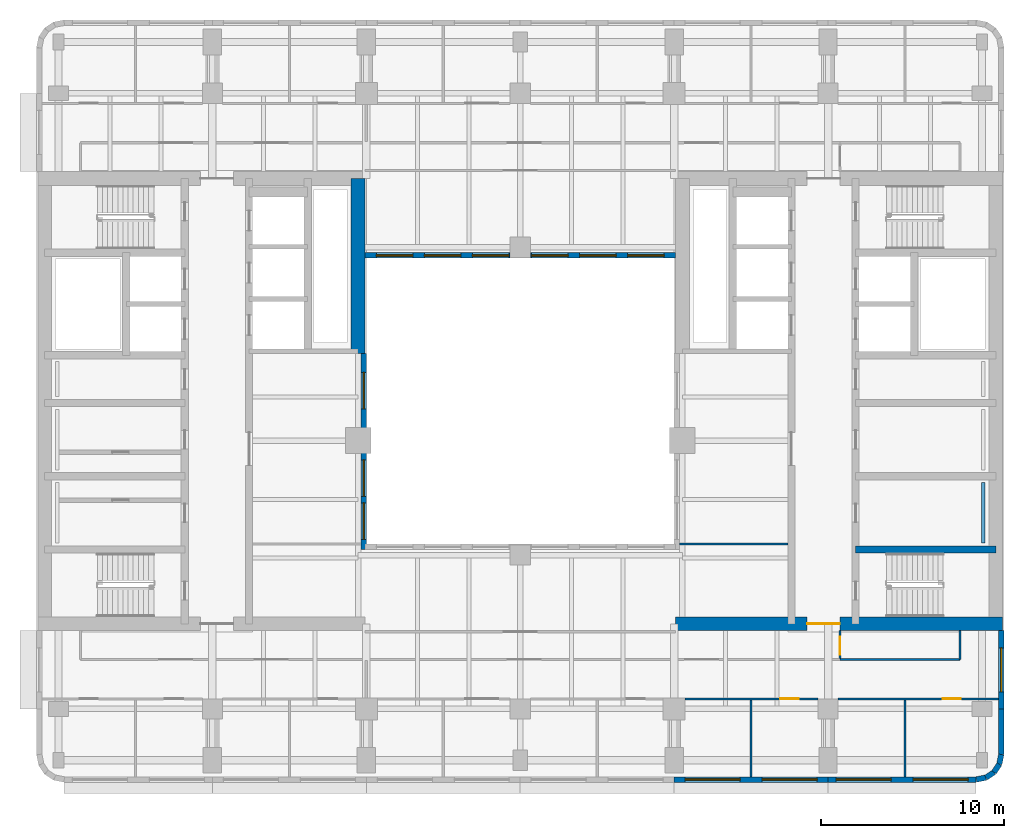
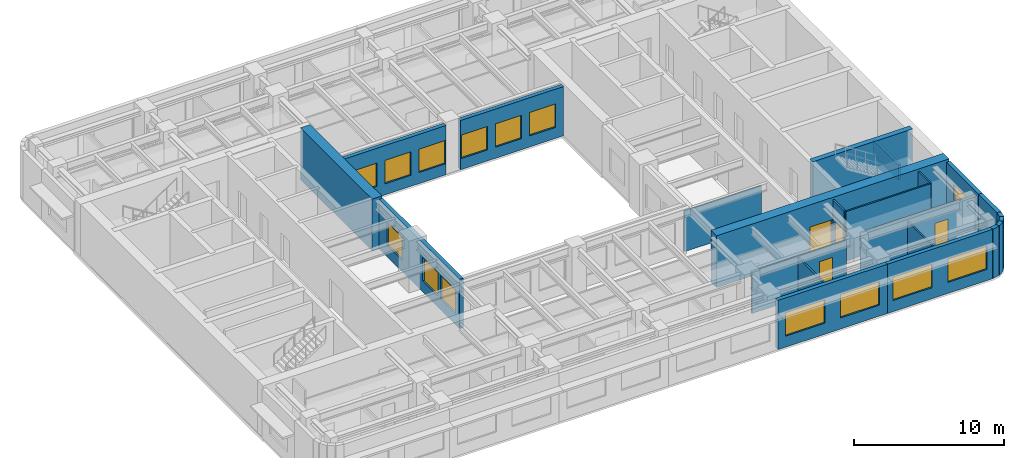
# One storey, part 5 of 11: 23 walls, 14 windows, 4 doors, 18 openings.
"""IFC4 building model written with IfcOpenShell, lengths in metres."""

from ifc_helpers import new_model, si_unit, direction, frame, frame_2d, origin, place, context, subcontext, project, spatial, rectangle, extrude, material, layer, layer_set, type_object, element, fill, save


model = new_model("IFC4")

# Units and contexts
model_context = context("Model", 3, precision=1e-05, world=origin(), true_north=direction((0.0, 1.0)))
body_context = subcontext(model_context, "Body", "Model", "MODEL_VIEW")
ifc_project = project(units=[si_unit("LENGTHUNIT", "METRE"), si_unit("AREAUNIT", "SQUARE_METRE"), si_unit("VOLUMEUNIT", "CUBIC_METRE"), si_unit("PLANEANGLEUNIT", "RADIAN"), si_unit("MASSUNIT", "GRAM", prefix="KILO")], contexts=[model_context])

# Site, building, storey
site_placement = place(None, origin())
site = spatial("IfcSite", under=ifc_project, at=site_placement, CompositionType="ELEMENT")
building_placement = place(site_placement, origin())
building = spatial("IfcBuilding", under=site, at=building_placement, Name="Claustro Exchange Tower", CompositionType="ELEMENT")
storey_placement = place(building_placement, frame((0.0, 0.0, 240.60009765625)))
storey = spatial("IfcBuildingStorey", under=building, at=storey_placement, Name="L55", CompositionType="ELEMENT", Elevation=240.60009765625)

# Wall
ifc_material_1 = material(Name="Laminated glass in aluminium frame", Category="aluminium")
ifc_layer_1 = layer(ifc_material_1, 0.1201171875)
ifc_layer_set_1 = layer_set([ifc_layer_1], Name="Laminated glass in aluminium frame")
wall_type_1 = type_object("IfcWallType", Name="P2 120 glazed partition", PredefinedType="PARTITIONING", material=ifc_layer_set_1)
wall_1_placement = place(storey_placement, frame((33.89794921875, 17.39990234375, 0.0), z_axis=(0.0, 0.0, 1.0), x_axis=(1.0, 0.0, 0.0)))
element("IfcWall", 1, at=wall_1_placement, inside=storey, type_object=wall_type_1, Name="Partition P2 L55", PredefinedType="PARTITIONING", context=body_context, shape_type="SweptSolid", body=[
    extrude(rectangle(XDim=5.904052734375, YDim=0.1201171875, at=frame_2d((2.9521484375, 0.0))), origin(), (0.0, 0.0, 1.0), 3.2998046875),
])

# Wall, opening, door
wall_2_placement = place(storey_placement, frame((34.198974609375, 8.949951171875, 0.0), z_axis=(0.0, 0.0, 1.0), x_axis=(1.0, 0.0, 0.0)))
wall_2 = element("IfcWall", 2, at=wall_2_placement, inside=storey, type_object=wall_type_1, Name="Partition P2 L55", PredefinedType="PARTITIONING", context=body_context, shape_type="SweptSolid", body=[
    extrude(rectangle(XDim=7.251953125, YDim=0.1201171875, at=frame_2d((3.6259765625, 0.0))), origin(), (0.0, 0.0, 1.0), 3.39990234375),
])
opening_1_placement = place(wall_2_placement, frame((5.200927734375, 0.0, 0.0)))
opening_1 = element("IfcOpeningElement", 3, at=opening_1_placement, cuts=wall_2, Name="Opening D7", PredefinedType="OPENING", context=body_context, shape_type="SweptSolid", body=[
    extrude(rectangle(XDim=1.0, YDim=2.39990234375, at=frame_2d((0.5, 1.199951171875))), frame((0.0, 0.070068359375, 0.0), z_axis=(0.0, -1.0, 0.0), x_axis=(1.0, 0.0, 0.0)), (0.0, 0.0, 1.0), 0.14013671875),
])
ifc_material_2 = material(Name="Glass door in aluminium frame", Category="aluminium")
door_type_1 = type_object("IfcDoorType", Name="D7 1000 x 2400 glazed door", OperationType="SINGLE_SWING_LEFT", PredefinedType="DOOR", material=ifc_material_2)
door_1_placement = place(opening_1_placement, frame((1.0, 0.0, 0.0), z_axis=(0.0, 0.0, 1.0), x_axis=(-1.0, 0.0, 0.0)))
door_1 = element("IfcDoor", 4, at=door_1_placement, inside=storey, type_object=door_type_1, Name="Door D7 L55", OperationType="SINGLE_SWING_RIGHT", OverallHeight=2.39990234375, OverallWidth=1.0, PredefinedType="DOOR", context=body_context, shape_type="SweptSolid", body=[
    extrude(rectangle(XDim=1.0, YDim=2.39990234375, at=frame_2d((0.5, 1.199951171875))), frame((0.0, 0.02490234375, 0.0), z_axis=(0.0, -1.0, 0.0), x_axis=(1.0, 0.0, 0.0)), (0.0, 0.0, 1.0), 0.050048828125),
])
fill(opening_1, door_1)

wall_3_placement = place(storey_placement, frame((42.549072265625, 8.949951171875, 0.0), z_axis=(0.0, 0.0, 1.0), x_axis=(1.0, 0.0, 0.0)))
wall_3 = element("IfcWall", 5, at=wall_3_placement, inside=storey, type_object=wall_type_1, Name="Partition P2 L55", PredefinedType="PARTITIONING", context=body_context, shape_type="SweptSolid", body=[
    extrude(rectangle(XDim=8.7529296875, YDim=0.1201171875, at=frame_2d((4.37646484375, 0.0))), origin(), (0.0, 0.0, 1.0), 3.619873046875),
])
opening_2_placement = place(wall_3_placement, frame((5.700927734375, 0.0, 0.0)))
opening_2 = element("IfcOpeningElement", 6, at=opening_2_placement, cuts=wall_3, Name="Opening D7", PredefinedType="OPENING", context=body_context, shape_type="SweptSolid", body=[
    extrude(rectangle(XDim=1.0, YDim=2.39990234375, at=frame_2d((0.5, 1.199951171875))), frame((0.0, 0.070068359375, 0.0), z_axis=(0.0, -1.0, 0.0), x_axis=(1.0, 0.0, 0.0)), (0.0, 0.0, 1.0), 0.14013671875),
])
door_2_placement = place(opening_2_placement, frame((1.0, 0.0, 0.0), z_axis=(0.0, 0.0, 1.0), x_axis=(-1.0, 0.0, 0.0)))
door_2 = element("IfcDoor", 7, at=door_2_placement, inside=storey, type_object=door_type_1, Name="Door D7 L55", OperationType="SINGLE_SWING_RIGHT", OverallHeight=2.39990234375, OverallWidth=1.0, PredefinedType="DOOR", context=body_context, shape_type="SweptSolid", body=[
    extrude(rectangle(XDim=1.0, YDim=2.39990234375, at=frame_2d((0.5, 1.199951171875))), frame((0.0, 0.02490234375, 0.0), z_axis=(0.0, -1.0, 0.0), x_axis=(1.0, 0.0, 0.0)), (0.0, 0.0, 1.0), 0.050048828125),
])
fill(opening_2, door_2)

# Walls
for number, where, z_axis, x_axis, name in (
    (8, (37.800048828125, 4.699951171875, 0.0), (0.0, 0.0, 1.0), (0.0, 1.0, 0.0), "Partition P2 L55"),
    (9, (46.199951171875, 4.699951171875, 0.0), (0.0, 0.0, 1.0), (0.0, 1.0, 0.0), "Partition P2 L55"),
):
    element("IfcWall", number, at=place(storey_placement, frame(where, z_axis=z_axis, x_axis=x_axis)), inside=storey, type_object=wall_type_1, Name=name, PredefinedType="PARTITIONING", context=body_context, shape_type="SweptSolid", body=[
        extrude(rectangle(XDim=4.192138671875, YDim=0.1201171875, at=frame_2d((2.09619140625, 0.0))), origin(), (0.0, 0.0, 1.0), 3.2998046875),
    ])

# Wall, opening, door
wall_4_placement = place(storey_placement, frame((42.64990234375, 11.157958984375, 0.0), z_axis=(0.0, 0.0, 1.0), x_axis=(0.0, 1.0, 0.0)))
wall_4 = element("IfcWall", 10, at=wall_4_placement, inside=storey, type_object=wall_type_1, Name="Partition P2 L55", PredefinedType="PARTITIONING", context=body_context, shape_type="SweptSolid", body=[
    extrude(rectangle(XDim=1.51806640625, YDim=0.1201171875, at=frame_2d((0.759033203125, 0.0))), origin(), (0.0, 0.0, 1.0), 4.0),
])
opening_3_placement = place(wall_4_placement, frame((0.19189453125, 0.0, 0.0)))
opening_3 = element("IfcOpeningElement", 11, at=opening_3_placement, cuts=wall_4, Name="Opening D7", PredefinedType="OPENING", context=body_context, shape_type="SweptSolid", body=[
    extrude(rectangle(XDim=1.0, YDim=2.39990234375, at=frame_2d((0.5, 1.199951171875))), frame((0.0, 0.070068359375, 0.0), z_axis=(0.0, -1.0, 0.0), x_axis=(1.0, 0.0, 0.0)), (0.0, 0.0, 1.0), 0.14013671875),
])
door_3_placement = place(opening_3_placement, frame((1.0, 0.0, 0.0), z_axis=(0.0, 0.0, 1.0), x_axis=(-1.0, 0.0, 0.0)))
door_3 = element("IfcDoor", 12, at=door_3_placement, inside=storey, type_object=door_type_1, Name="Door D7 L55", OperationType="SINGLE_SWING_RIGHT", OverallHeight=2.39990234375, OverallWidth=1.0, PredefinedType="DOOR", context=body_context, shape_type="SweptSolid", body=[
    extrude(rectangle(XDim=1.0, YDim=2.39990234375, at=frame_2d((0.5, 1.199951171875))), frame((0.0, 0.02490234375, 0.0), z_axis=(0.0, -1.0, 0.0), x_axis=(1.0, 0.0, 0.0)), (0.0, 0.0, 1.0), 0.050048828125),
])
fill(opening_3, door_3)

# Walls
wall_5_placement = place(storey_placement, frame((42.64794921875, 11.10009765625, 0.0), z_axis=(0.0, 0.0, 1.0), x_axis=(1.0, 0.0, 0.0)))
element("IfcWall", 13, at=wall_5_placement, inside=storey, type_object=wall_type_1, Name="Partition P2 L55", PredefinedType="PARTITIONING", context=body_context, shape_type="SweptSolid", body=[
    extrude(rectangle(XDim=6.552001953125, YDim=0.1201171875, at=frame_2d((3.27587890625, 0.0))), origin(), (0.0, 0.0, 1.0), 4.0),
])
wall_6_placement = place(storey_placement, frame((49.199951171875, 11.10009765625, 0.0), z_axis=(0.0, 0.0, 1.0), x_axis=(0.0, 1.0, 0.0)))
element("IfcWall", 14, at=wall_6_placement, inside=storey, type_object=wall_type_1, Name="Partition P2 L55", PredefinedType="PARTITIONING", context=body_context, shape_type="SweptSolid", body=[
    extrude(rectangle(XDim=1.575927734375, YDim=0.1201171875, at=frame_2d((0.7880859375, 0.0))), origin(), (0.0, 0.0, 1.0), 4.0),
])

# Wall, openings, windows
ifc_material_3 = material(Name="Concrete HA-40 (C40/50), precast, white cement, acid-etched", Category="concrete")
ifc_layer_2 = layer(ifc_material_3, 0.300048828125)
ifc_layer_set_2 = layer_set([ifc_layer_2], Name="Concrete HA-40 (C40/50), precast, white cement, acid-etched")
wall_type_2 = type_object("IfcWallType", Name="PC1 300 precast concrete pier panel", PredefinedType="SOLIDWALL", material=ifc_layer_set_2)
wall_7_placement = place(storey_placement, frame((50.085205078125, 4.550048828125, 0.0), z_axis=(0.0, 0.0, 1.0), x_axis=(-1.0, 0.0, 0.0)))
wall_7 = element("IfcWall", 15, at=wall_7_placement, inside=storey, type_object=wall_type_2, Name="Precast pier panel PC1 L55", PredefinedType="SOLIDWALL", context=body_context, shape_type="SweptSolid", body=[
    extrude(rectangle(XDim=8.085205078125, YDim=0.300048828125, at=frame_2d((4.04248046875, 0.0))), origin(), (0.0, 0.0, 1.0), 4.0),
])
opening_4_placement = place(wall_7_placement, frame((0.442626953125, 0.0, 0.89990234375)))
opening_4 = element("IfcOpeningElement", 16, at=opening_4_placement, cuts=wall_7, Name="Opening W1", PredefinedType="OPENING", context=body_context, shape_type="SweptSolid", body=[
    extrude(rectangle(XDim=3.0, YDim=1.89990234375, at=frame_2d((1.5, 0.949951171875))), frame((0.0, 0.159912109375, 0.0), z_axis=(0.0, -1.0, 0.0), x_axis=(1.0, 0.0, 0.0)), (0.0, 0.0, 1.0), 0.320068359375),
])
opening_5_placement = place(wall_7_placement, frame((4.642578125, 0.0, 0.89990234375)))
opening_5 = element("IfcOpeningElement", 17, at=opening_5_placement, cuts=wall_7, Name="Opening W1", PredefinedType="OPENING", context=body_context, shape_type="SweptSolid", body=[
    extrude(rectangle(XDim=3.0, YDim=1.89990234375, at=frame_2d((1.5, 0.949951171875))), frame((0.0, 0.159912109375, 0.0), z_axis=(0.0, -1.0, 0.0), x_axis=(1.0, 0.0, 0.0)), (0.0, 0.0, 1.0), 0.320068359375),
])
ifc_material_4 = material(Name="Aluminium frame, clear double glazing", Category="aluminium")
window_type_1 = type_object("IfcWindowType", Name="W1 3000 x 1900 window", PartitioningType="SINGLE_PANEL", PredefinedType="WINDOW", material=ifc_material_4)
window_1_placement = place(opening_4_placement, origin())
window_1 = element("IfcWindow", 18, at=window_1_placement, inside=storey, type_object=window_type_1, Name="Window W1 L55", OverallHeight=1.89990234375, OverallWidth=3.0, PartitioningType="SINGLE_PANEL", PredefinedType="WINDOW", context=body_context, shape_type="SweptSolid", body=[
    extrude(rectangle(XDim=3.0, YDim=1.89990234375, at=frame_2d((1.5, 0.949951171875))), frame((0.0, 0.030029296875, 0.0), z_axis=(0.0, -1.0, 0.0), x_axis=(1.0, 0.0, 0.0)), (0.0, 0.0, 1.0), 0.06005859375),
])
fill(opening_4, window_1)
window_2_placement = place(opening_5_placement, origin())
window_2 = element("IfcWindow", 19, at=window_2_placement, inside=storey, type_object=window_type_1, Name="Window W1 L55", OverallHeight=1.89990234375, OverallWidth=3.0, PartitioningType="SINGLE_PANEL", PredefinedType="WINDOW", context=body_context, shape_type="SweptSolid", body=[
    extrude(rectangle(XDim=3.0, YDim=1.89990234375, at=frame_2d((1.5, 0.949951171875))), frame((0.0, 0.030029296875, 0.0), z_axis=(0.0, -1.0, 0.0), x_axis=(1.0, 0.0, 0.0)), (0.0, 0.0, 1.0), 0.06005859375),
])
fill(opening_5, window_2)

wall_8_placement = place(storey_placement, frame((42.0, 4.550048828125, 0.0), z_axis=(0.0, 0.0, 1.0), x_axis=(-1.0, 0.0, 0.0)))
wall_8 = element("IfcWall", 20, at=wall_8_placement, inside=storey, type_object=wall_type_2, Name="Precast pier panel PC1 L55", PredefinedType="SOLIDWALL", context=body_context, shape_type="SweptSolid", body=[
    extrude(rectangle(XDim=8.39990234375, YDim=0.300048828125, at=frame_2d((4.199951171875, 0.0))), origin(), (0.0, 0.0, 1.0), 4.0),
])
opening_6_placement = place(wall_8_placement, frame((0.60009765625, 0.0, 0.89990234375)))
opening_6 = element("IfcOpeningElement", 21, at=opening_6_placement, cuts=wall_8, Name="Opening W1", PredefinedType="OPENING", context=body_context, shape_type="SweptSolid", body=[
    extrude(rectangle(XDim=3.0, YDim=1.89990234375, at=frame_2d((1.5, 0.949951171875))), frame((0.0, 0.159912109375, 0.0), z_axis=(0.0, -1.0, 0.0), x_axis=(1.0, 0.0, 0.0)), (0.0, 0.0, 1.0), 0.320068359375),
])
opening_7_placement = place(wall_8_placement, frame((4.800048828125, 0.0, 0.89990234375)))
opening_7 = element("IfcOpeningElement", 22, at=opening_7_placement, cuts=wall_8, Name="Opening W1", PredefinedType="OPENING", context=body_context, shape_type="SweptSolid", body=[
    extrude(rectangle(XDim=3.0, YDim=1.89990234375, at=frame_2d((1.5, 0.949951171875))), frame((0.0, 0.159912109375, 0.0), z_axis=(0.0, -1.0, 0.0), x_axis=(1.0, 0.0, 0.0)), (0.0, 0.0, 1.0), 0.320068359375),
])
window_3_placement = place(opening_6_placement, origin())
window_3 = element("IfcWindow", 23, at=window_3_placement, inside=storey, type_object=window_type_1, Name="Window W1 L55", OverallHeight=1.89990234375, OverallWidth=3.0, PartitioningType="SINGLE_PANEL", PredefinedType="WINDOW", context=body_context, shape_type="SweptSolid", body=[
    extrude(rectangle(XDim=3.0, YDim=1.89990234375, at=frame_2d((1.5, 0.949951171875))), frame((0.0, 0.030029296875, 0.0), z_axis=(0.0, -1.0, 0.0), x_axis=(1.0, 0.0, 0.0)), (0.0, 0.0, 1.0), 0.06005859375),
])
fill(opening_6, window_3)
window_4_placement = place(opening_7_placement, origin())
window_4 = element("IfcWindow", 24, at=window_4_placement, inside=storey, type_object=window_type_1, Name="Window W1 L55", OverallHeight=1.89990234375, OverallWidth=3.0, PartitioningType="SINGLE_PANEL", PredefinedType="WINDOW", context=body_context, shape_type="SweptSolid", body=[
    extrude(rectangle(XDim=3.0, YDim=1.89990234375, at=frame_2d((1.5, 0.949951171875))), frame((0.0, 0.030029296875, 0.0), z_axis=(0.0, -1.0, 0.0), x_axis=(1.0, 0.0, 0.0)), (0.0, 0.0, 1.0), 0.06005859375),
])
fill(opening_7, window_4)

# Wall, opening, window
wall_9_placement = place(storey_placement, frame((51.449951171875, 12.675048828125, 0.0), z_axis=(0.0, 0.0, 1.0), x_axis=(0.0, -1.0, 0.0)))
wall_9 = element("IfcWall", 25, at=wall_9_placement, inside=storey, type_object=wall_type_2, Name="Precast pier panel PC1 L55", PredefinedType="SOLIDWALL", context=body_context, shape_type="SweptSolid", body=[
    extrude(rectangle(XDim=4.275146484375, YDim=0.300048828125, at=frame_2d((2.1376953125, 0.0))), origin(), (0.0, 0.0, 1.0), 4.0),
])
opening_8_placement = place(wall_9_placement, frame((0.9375, 0.0, 0.89990234375)))
opening_8 = element("IfcOpeningElement", 26, at=opening_8_placement, cuts=wall_9, Name="Opening W2", PredefinedType="OPENING", context=body_context, shape_type="SweptSolid", body=[
    extrude(rectangle(XDim=2.39990234375, YDim=1.89990234375, at=frame_2d((1.199951171875, 0.949951171875))), frame((0.0, 0.159912109375, 0.0), z_axis=(0.0, -1.0, 0.0), x_axis=(1.0, 0.0, 0.0)), (0.0, 0.0, 1.0), 0.320068359375),
])
ifc_material_5 = material(Name="Aluminium frame, clear double glazing", Category="aluminium")
window_type_2 = type_object("IfcWindowType", Name="W2 2400 x 1900 window", PartitioningType="SINGLE_PANEL", PredefinedType="WINDOW", material=ifc_material_5)
window_5_placement = place(opening_8_placement, origin())
window_5 = element("IfcWindow", 27, at=window_5_placement, inside=storey, type_object=window_type_2, Name="Window W2 L55", OverallHeight=1.89990234375, OverallWidth=2.39990234375, PartitioningType="SINGLE_PANEL", PredefinedType="WINDOW", context=body_context, shape_type="SweptSolid", body=[
    extrude(rectangle(XDim=2.39990234375, YDim=1.89990234375, at=frame_2d((1.199951171875, 0.949951171875))), frame((0.0, 0.030029296875, 0.0), z_axis=(0.0, -1.0, 0.0), x_axis=(1.0, 0.0, 0.0)), (0.0, 0.0, 1.0), 0.06005859375),
])
fill(opening_8, window_5)

# Walls
wall_10_placement = place(storey_placement, frame((51.449951171875, 8.39990234375, 0.0), z_axis=(0.0, 0.0, 1.0), x_axis=(0.0, -1.0, 0.0)))
element("IfcWall", 28, at=wall_10_placement, inside=storey, type_object=wall_type_2, Name="Precast pier panel PC1 L55", PredefinedType="SOLIDWALL", context=body_context, shape_type="SweptSolid", body=[
    extrude(rectangle(XDim=2.485107421875, YDim=0.300048828125, at=frame_2d((1.24267578125, 0.0))), origin(), (0.0, 0.0, 1.0), 4.0),
])
wall_11_placement = place(storey_placement, frame((51.449951171875, 5.914794921875, 0.0), z_axis=(0.0, 0.0, 1.0), x_axis=(-0.195073962632, -0.980788534345, 0.0)))
element("IfcWall", 29, at=wall_11_placement, inside=storey, type_object=wall_type_2, Name="Precast pier panel PC1 L55", PredefinedType="SOLIDWALL", context=body_context, shape_type="SweptSolid", body=[
    extrude(rectangle(XDim=0.540771484375, YDim=0.300048828125, at=frame_2d((0.2705078125, 0.0))), origin(), (0.0, 0.0, 1.0), 4.0),
])
for number, where, z_axis, x_axis, name in (
    (30, (51.344482421875, 5.384521484375, 0.0), (0.0, 0.0, 1.0), (-0.555557463938, -0.831478144188, 0.0), "Precast pier panel PC1 L55"),
    (31, (51.052490234375, 4.947509765625, 0.0), (0.0, 0.0, 1.0), (-0.831478144188, -0.555557463938, 0.0), "Precast pier panel PC1 L55"),
):
    element("IfcWall", number, at=place(storey_placement, frame(where, z_axis=z_axis, x_axis=x_axis)), inside=storey, type_object=wall_type_2, Name=name, PredefinedType="SOLIDWALL", context=body_context, shape_type="SweptSolid", body=[
        extrude(rectangle(XDim=0.525634765625, YDim=0.300048828125, at=frame_2d((0.2626953125, 0.0))), origin(), (0.0, 0.0, 1.0), 4.0),
    ])
wall_12_placement = place(storey_placement, frame((50.615478515625, 4.655517578125, 0.0), z_axis=(0.0, 0.0, 1.0), x_axis=(-0.980788534345, -0.195073962632, 0.0)))
element("IfcWall", 32, at=wall_12_placement, inside=storey, type_object=wall_type_2, Name="Precast pier panel PC1 L55", PredefinedType="SOLIDWALL", context=body_context, shape_type="SweptSolid", body=[
    extrude(rectangle(XDim=0.540771484375, YDim=0.300048828125, at=frame_2d((0.2705078125, 0.0))), origin(), (0.0, 0.0, 1.0), 4.0),
])

# Wall, openings, windows
wall_13_placement = place(storey_placement, frame((16.64990234375, 17.10009765625, 0.0), z_axis=(0.0, 0.0, 1.0), x_axis=(0.0, 1.0, 0.0)))
wall_13 = element("IfcWall", 33, at=wall_13_placement, inside=storey, type_object=wall_type_2, Name="Precast pier panel PC1 L55", PredefinedType="SOLIDWALL", context=body_context, shape_type="SweptSolid", body=[
    extrude(rectangle(XDim=10.699951171875, YDim=0.300048828125, at=frame_2d((5.35009765625, 0.0))), origin(), (0.0, 0.0, 1.0), 4.0),
])
opening_9_placement = place(wall_13_placement, frame((0.550048828125, 0.0, 0.89990234375)))
opening_9 = element("IfcOpeningElement", 34, at=opening_9_placement, cuts=wall_13, Name="Opening W4", PredefinedType="OPENING", context=body_context, shape_type="SweptSolid", body=[
    extrude(rectangle(XDim=2.0, YDim=1.89990234375, at=frame_2d((1.0, 0.949951171875))), frame((0.0, 0.159912109375, 0.0), z_axis=(0.0, -1.0, 0.0), x_axis=(1.0, 0.0, 0.0)), (0.0, 0.0, 1.0), 0.320068359375),
])
opening_10_placement = place(wall_13_placement, frame((2.89990234375, 0.0, 0.89990234375)))
opening_10 = element("IfcOpeningElement", 35, at=opening_10_placement, cuts=wall_13, Name="Opening W4", PredefinedType="OPENING", context=body_context, shape_type="SweptSolid", body=[
    extrude(rectangle(XDim=2.0, YDim=1.89990234375, at=frame_2d((1.0, 0.949951171875))), frame((0.0, 0.159912109375, 0.0), z_axis=(0.0, -1.0, 0.0), x_axis=(1.0, 0.0, 0.0)), (0.0, 0.0, 1.0), 0.320068359375),
])
opening_11_placement = place(wall_13_placement, frame((7.675048828125, 0.0, 0.89990234375)))
opening_11 = element("IfcOpeningElement", 36, at=opening_11_placement, cuts=wall_13, Name="Opening W4", PredefinedType="OPENING", context=body_context, shape_type="SweptSolid", body=[
    extrude(rectangle(XDim=2.0, YDim=1.89990234375, at=frame_2d((1.0, 0.949951171875))), frame((0.0, 0.159912109375, 0.0), z_axis=(0.0, -1.0, 0.0), x_axis=(1.0, 0.0, 0.0)), (0.0, 0.0, 1.0), 0.320068359375),
])
ifc_material_6 = material(Name="Aluminium frame, clear double glazing", Category="aluminium")
window_type_3 = type_object("IfcWindowType", Name="W4 2000 x 1900 light well window", PartitioningType="SINGLE_PANEL", PredefinedType="WINDOW", material=ifc_material_6)
window_6_placement = place(opening_9_placement, origin())
window_6 = element("IfcWindow", 37, at=window_6_placement, inside=storey, type_object=window_type_3, Name="Window W4 L55", OverallHeight=1.89990234375, OverallWidth=2.0, PartitioningType="SINGLE_PANEL", PredefinedType="WINDOW", context=body_context, shape_type="SweptSolid", body=[
    extrude(rectangle(XDim=2.0, YDim=1.89990234375, at=frame_2d((1.0, 0.949951171875))), frame((0.0, 0.030029296875, 0.0), z_axis=(0.0, -1.0, 0.0), x_axis=(1.0, 0.0, 0.0)), (0.0, 0.0, 1.0), 0.06005859375),
])
fill(opening_9, window_6)
window_7_placement = place(opening_10_placement, origin())
window_7 = element("IfcWindow", 38, at=window_7_placement, inside=storey, type_object=window_type_3, Name="Window W4 L55", OverallHeight=1.89990234375, OverallWidth=2.0, PartitioningType="SINGLE_PANEL", PredefinedType="WINDOW", context=body_context, shape_type="SweptSolid", body=[
    extrude(rectangle(XDim=2.0, YDim=1.89990234375, at=frame_2d((1.0, 0.949951171875))), frame((0.0, 0.030029296875, 0.0), z_axis=(0.0, -1.0, 0.0), x_axis=(1.0, 0.0, 0.0)), (0.0, 0.0, 1.0), 0.06005859375),
])
fill(opening_10, window_7)
window_8_placement = place(opening_11_placement, origin())
window_8 = element("IfcWindow", 39, at=window_8_placement, inside=storey, type_object=window_type_3, Name="Window W4 L55", OverallHeight=1.89990234375, OverallWidth=2.0, PartitioningType="SINGLE_PANEL", PredefinedType="WINDOW", context=body_context, shape_type="SweptSolid", body=[
    extrude(rectangle(XDim=2.0, YDim=1.89990234375, at=frame_2d((1.0, 0.949951171875))), frame((0.0, 0.030029296875, 0.0), z_axis=(0.0, -1.0, 0.0), x_axis=(1.0, 0.0, 0.0)), (0.0, 0.0, 1.0), 0.06005859375),
])
fill(opening_11, window_8)

wall_14_placement = place(storey_placement, frame((16.72509765625, 33.14990234375, 0.0), z_axis=(0.0, 0.0, 1.0), x_axis=(1.0, 0.0, 0.0)))
wall_14 = element("IfcWall", 40, at=wall_14_placement, inside=storey, type_object=wall_type_2, Name="Precast pier panel PC1 L55", PredefinedType="SOLIDWALL", context=body_context, shape_type="SweptSolid", body=[
    extrude(rectangle(XDim=7.9248046875, YDim=0.300048828125, at=frame_2d((3.96240234375, 0.0))), origin(), (0.0, 0.0, 1.0), 4.0),
])
opening_12_placement = place(wall_14_placement, frame((0.61865234375, 0.0, 0.89990234375)))
opening_12 = element("IfcOpeningElement", 41, at=opening_12_placement, cuts=wall_14, Name="Opening W4", PredefinedType="OPENING", context=body_context, shape_type="SweptSolid", body=[
    extrude(rectangle(XDim=2.0, YDim=1.89990234375, at=frame_2d((1.0, 0.949951171875))), frame((0.0, 0.159912109375, 0.0), z_axis=(0.0, -1.0, 0.0), x_axis=(1.0, 0.0, 0.0)), (0.0, 0.0, 1.0), 0.320068359375),
])
opening_13_placement = place(wall_14_placement, frame((3.237548828125, 0.0, 0.89990234375)))
opening_13 = element("IfcOpeningElement", 42, at=opening_13_placement, cuts=wall_14, Name="Opening W4", PredefinedType="OPENING", context=body_context, shape_type="SweptSolid", body=[
    extrude(rectangle(XDim=2.0, YDim=1.89990234375, at=frame_2d((1.0, 0.949951171875))), frame((0.0, 0.159912109375, 0.0), z_axis=(0.0, -1.0, 0.0), x_axis=(1.0, 0.0, 0.0)), (0.0, 0.0, 1.0), 0.320068359375),
])
opening_14_placement = place(wall_14_placement, frame((5.856201171875, 0.0, 0.89990234375)))
opening_14 = element("IfcOpeningElement", 43, at=opening_14_placement, cuts=wall_14, Name="Opening W4", PredefinedType="OPENING", context=body_context, shape_type="SweptSolid", body=[
    extrude(rectangle(XDim=2.0, YDim=1.89990234375, at=frame_2d((1.0, 0.949951171875))), frame((0.0, 0.159912109375, 0.0), z_axis=(0.0, -1.0, 0.0), x_axis=(1.0, 0.0, 0.0)), (0.0, 0.0, 1.0), 0.320068359375),
])
window_9_placement = place(opening_12_placement, origin())
window_9 = element("IfcWindow", 44, at=window_9_placement, inside=storey, type_object=window_type_3, Name="Window W4 L55", OverallHeight=1.89990234375, OverallWidth=2.0, PartitioningType="SINGLE_PANEL", PredefinedType="WINDOW", context=body_context, shape_type="SweptSolid", body=[
    extrude(rectangle(XDim=2.0, YDim=1.89990234375, at=frame_2d((1.0, 0.949951171875))), frame((0.0, 0.030029296875, 0.0), z_axis=(0.0, -1.0, 0.0), x_axis=(1.0, 0.0, 0.0)), (0.0, 0.0, 1.0), 0.06005859375),
])
fill(opening_12, window_9)
window_10_placement = place(opening_13_placement, origin())
window_10 = element("IfcWindow", 45, at=window_10_placement, inside=storey, type_object=window_type_3, Name="Window W4 L55", OverallHeight=1.89990234375, OverallWidth=2.0, PartitioningType="SINGLE_PANEL", PredefinedType="WINDOW", context=body_context, shape_type="SweptSolid", body=[
    extrude(rectangle(XDim=2.0, YDim=1.89990234375, at=frame_2d((1.0, 0.949951171875))), frame((0.0, 0.030029296875, 0.0), z_axis=(0.0, -1.0, 0.0), x_axis=(1.0, 0.0, 0.0)), (0.0, 0.0, 1.0), 0.06005859375),
])
fill(opening_13, window_10)
window_11_placement = place(opening_14_placement, origin())
window_11 = element("IfcWindow", 46, at=window_11_placement, inside=storey, type_object=window_type_3, Name="Window W4 L55", OverallHeight=1.89990234375, OverallWidth=2.0, PartitioningType="SINGLE_PANEL", PredefinedType="WINDOW", context=body_context, shape_type="SweptSolid", body=[
    extrude(rectangle(XDim=2.0, YDim=1.89990234375, at=frame_2d((1.0, 0.949951171875))), frame((0.0, 0.030029296875, 0.0), z_axis=(0.0, -1.0, 0.0), x_axis=(1.0, 0.0, 0.0)), (0.0, 0.0, 1.0), 0.06005859375),
])
fill(opening_14, window_11)

wall_15_placement = place(storey_placement, frame((25.75, 33.14990234375, 0.0), z_axis=(0.0, 0.0, 1.0), x_axis=(1.0, 0.0, 0.0)))
wall_15 = element("IfcWall", 47, at=wall_15_placement, inside=storey, type_object=wall_type_2, Name="Precast pier panel PC1 L55", PredefinedType="SOLIDWALL", context=body_context, shape_type="SweptSolid", body=[
    extrude(rectangle(XDim=7.925048828125, YDim=0.300048828125, at=frame_2d((3.96240234375, 0.0))), origin(), (0.0, 0.0, 1.0), 4.0),
])
opening_15_placement = place(wall_15_placement, frame((0.068603515625, 0.0, 0.89990234375)))
opening_15 = element("IfcOpeningElement", 48, at=opening_15_placement, cuts=wall_15, Name="Opening W4", PredefinedType="OPENING", context=body_context, shape_type="SweptSolid", body=[
    extrude(rectangle(XDim=2.0, YDim=1.89990234375, at=frame_2d((1.0, 0.949951171875))), frame((0.0, 0.159912109375, 0.0), z_axis=(0.0, -1.0, 0.0), x_axis=(1.0, 0.0, 0.0)), (0.0, 0.0, 1.0), 0.320068359375),
])
opening_16_placement = place(wall_15_placement, frame((2.6875, 0.0, 0.89990234375)))
opening_16 = element("IfcOpeningElement", 49, at=opening_16_placement, cuts=wall_15, Name="Opening W4", PredefinedType="OPENING", context=body_context, shape_type="SweptSolid", body=[
    extrude(rectangle(XDim=2.0, YDim=1.89990234375, at=frame_2d((1.0, 0.949951171875))), frame((0.0, 0.159912109375, 0.0), z_axis=(0.0, -1.0, 0.0), x_axis=(1.0, 0.0, 0.0)), (0.0, 0.0, 1.0), 0.320068359375),
])
opening_17_placement = place(wall_15_placement, frame((5.30615234375, 0.0, 0.89990234375)))
opening_17 = element("IfcOpeningElement", 50, at=opening_17_placement, cuts=wall_15, Name="Opening W4", PredefinedType="OPENING", context=body_context, shape_type="SweptSolid", body=[
    extrude(rectangle(XDim=2.0, YDim=1.89990234375, at=frame_2d((1.0, 0.949951171875))), frame((0.0, 0.159912109375, 0.0), z_axis=(0.0, -1.0, 0.0), x_axis=(1.0, 0.0, 0.0)), (0.0, 0.0, 1.0), 0.320068359375),
])
window_12_placement = place(opening_15_placement, origin())
window_12 = element("IfcWindow", 51, at=window_12_placement, inside=storey, type_object=window_type_3, Name="Window W4 L55", OverallHeight=1.89990234375, OverallWidth=2.0, PartitioningType="SINGLE_PANEL", PredefinedType="WINDOW", context=body_context, shape_type="SweptSolid", body=[
    extrude(rectangle(XDim=2.0, YDim=1.89990234375, at=frame_2d((1.0, 0.949951171875))), frame((0.0, 0.030029296875, 0.0), z_axis=(0.0, -1.0, 0.0), x_axis=(1.0, 0.0, 0.0)), (0.0, 0.0, 1.0), 0.06005859375),
])
fill(opening_15, window_12)
window_13_placement = place(opening_16_placement, origin())
window_13 = element("IfcWindow", 52, at=window_13_placement, inside=storey, type_object=window_type_3, Name="Window W4 L55", OverallHeight=1.89990234375, OverallWidth=2.0, PartitioningType="SINGLE_PANEL", PredefinedType="WINDOW", context=body_context, shape_type="SweptSolid", body=[
    extrude(rectangle(XDim=2.0, YDim=1.89990234375, at=frame_2d((1.0, 0.949951171875))), frame((0.0, 0.030029296875, 0.0), z_axis=(0.0, -1.0, 0.0), x_axis=(1.0, 0.0, 0.0)), (0.0, 0.0, 1.0), 0.06005859375),
])
fill(opening_16, window_13)
window_14_placement = place(opening_17_placement, origin())
window_14 = element("IfcWindow", 53, at=window_14_placement, inside=storey, type_object=window_type_3, Name="Window W4 L55", OverallHeight=1.89990234375, OverallWidth=2.0, PartitioningType="SINGLE_PANEL", PredefinedType="WINDOW", context=body_context, shape_type="SweptSolid", body=[
    extrude(rectangle(XDim=2.0, YDim=1.89990234375, at=frame_2d((1.0, 0.949951171875))), frame((0.0, 0.030029296875, 0.0), z_axis=(0.0, -1.0, 0.0), x_axis=(1.0, 0.0, 0.0)), (0.0, 0.0, 1.0), 0.06005859375),
])
fill(opening_17, window_14)

# Wall
ifc_material_7 = material(Name="Gypsum board on steel studs, tiled", Category="steel")
ifc_layer_3 = layer(ifc_material_7, 0.199951171875)
ifc_layer_set_3 = layer_set([ifc_layer_3], Name="Gypsum board on steel studs, tiled")
wall_type_3 = type_object("IfcWallType", Name="PW1 200 WC duct wall", PredefinedType="PLUMBINGWALL", material=ifc_layer_set_3)
wall_16_placement = place(storey_placement, frame((50.47509765625, 17.449951171875, 0.0), z_axis=(0.0, 0.0, 1.0), x_axis=(0.0, 1.0, 0.0)))
element("IfcWall", 54, at=wall_16_placement, inside=storey, type_object=wall_type_3, Name="WC duct wall PW1 L55", PredefinedType="PLUMBINGWALL", context=body_context, shape_type="SweptSolid", body=[
    extrude(rectangle(XDim=3.300048828125, YDim=0.199951171875, at=frame_2d((1.64990234375, 0.0))), origin(), (0.0, 0.0, 1.0), 1.199951171875),
])

# Wall, opening, door
ifc_material_8 = material(Name="Concrete HA-70 (C70/85)", Category="concrete")
ifc_layer_4 = layer(ifc_material_8, 0.75)
ifc_layer_set_4 = layer_set([ifc_layer_4], Name="Concrete HA-70 (C70/85)")
wall_type_4 = type_object("IfcWallType", Name="SW2 750 core shear wall", PredefinedType="SHEAR", material=ifc_layer_set_4)
wall_17_placement = place(storey_placement, frame((33.675048828125, 13.050048828125, 0.0), z_axis=(0.0, 0.0, 1.0), x_axis=(1.0, 0.0, 0.0)))
wall_17 = element("IfcWall", 55, at=wall_17_placement, inside=storey, type_object=wall_type_4, Name="Core wall SW2 E core S face L55", PredefinedType="SHEAR", context=body_context, shape_type="SweptSolid", body=[
    extrude(rectangle(XDim=17.849853515625, YDim=0.75, at=frame_2d((8.9248046875, 0.0))), origin(), (0.0, 0.0, 1.0), 4.199951171875),
])
opening_18_placement = place(wall_17_placement, frame((7.175048828125, 0.0, 0.0)))
opening_18 = element("IfcOpeningElement", 56, at=opening_18_placement, cuts=wall_17, Name="Opening D3", PredefinedType="OPENING", context=body_context, shape_type="SweptSolid", body=[
    extrude(rectangle(XDim=1.800048828125, YDim=2.39990234375, at=frame_2d((0.89990234375, 1.199951171875))), frame((0.0, 0.385009765625, 0.0), z_axis=(0.0, -1.0, 0.0), x_axis=(1.0, 0.0, 0.0)), (0.0, 0.0, 1.0), 0.77001953125),
])
ifc_material_9 = material(Name="Steel fire door, painted", Category="steel")
door_type_2 = type_object("IfcDoorType", Name="D3 1800 x 2400 fire-rated lobby double door", OperationType="DOUBLE_DOOR_SINGLE_SWING", PredefinedType="DOOR", material=ifc_material_9)
door_4_placement = place(opening_18_placement, origin())
door_4 = element("IfcDoor", 57, at=door_4_placement, inside=storey, type_object=door_type_2, Name="Lift lobby door D3 L55", OperationType="DOUBLE_DOOR_SINGLE_SWING", OverallHeight=2.39990234375, OverallWidth=1.800048828125, PredefinedType="DOOR", context=body_context, shape_type="SweptSolid", body=[
    extrude(rectangle(XDim=1.800048828125, YDim=2.39990234375, at=frame_2d((0.89990234375, 1.199951171875))), frame((0.0, 0.02490234375, 0.0), z_axis=(0.0, -1.0, 0.0), x_axis=(1.0, 0.0, 0.0)), (0.0, 0.0, 1.0), 0.050048828125),
])
fill(opening_18, door_4)

# Walls
ifc_material_10 = material(Name="Concrete HA-70 (C70/85)", Category="concrete")
ifc_layer_5 = layer(ifc_material_10, 0.75)
ifc_layer_set_5 = layer_set([ifc_layer_5], Name="Concrete HA-70 (C70/85)")
wall_type_5 = type_object("IfcWallType", Name="SW2X 750 exposed core shear wall, board-marked face", PredefinedType="SHEAR", material=ifc_layer_set_5)
wall_18_placement = place(storey_placement, frame((16.35009765625, 27.800048828125, 0.0), z_axis=(0.0, 0.0, 1.0), x_axis=(0.0, 1.0, 0.0)))
element("IfcWall", 58, at=wall_18_placement, inside=storey, type_object=wall_type_5, Name="Core wall SW2X W core E face L55", PredefinedType="SHEAR", context=body_context, shape_type="SweptSolid", body=[
    extrude(rectangle(XDim=9.550048828125, YDim=0.75, at=frame_2d((4.77490234375, 0.0))), origin(), (0.0, 0.0, 1.0), 4.199951171875),
])
ifc_material_11 = material(Name="Concrete HA-50 (C50/60)", Category="concrete")
ifc_layer_6 = layer(ifc_material_11, 0.39990234375)
ifc_layer_set_6 = layer_set([ifc_layer_6], Name="Concrete HA-50 (C50/60)")
wall_type_6 = type_object("IfcWallType", Name="SW4 400 internal core wall", PredefinedType="SHEAR", material=ifc_layer_set_6)
wall_19_placement = place(storey_placement, frame((51.14990234375, 17.10009765625, 0.0), z_axis=(0.0, 0.0, 1.0), x_axis=(-1.0, 0.0, 0.0)))
element("IfcWall", 59, at=wall_19_placement, inside=storey, type_object=wall_type_6, Name="Internal core wall SW4 E core L55", PredefinedType="SHEAR", context=body_context, shape_type="SweptSolid", body=[
    extrude(rectangle(XDim=7.64990234375, YDim=0.39990234375, at=frame_2d((3.824951171875, 0.0))), origin(), (0.0, 0.0, 1.0), 4.199951171875),
])

save(model, "model.ifc")
